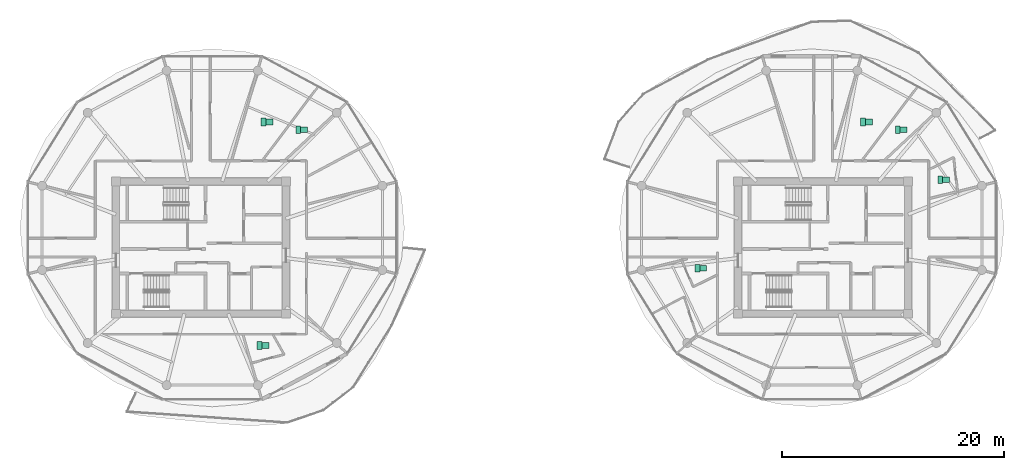
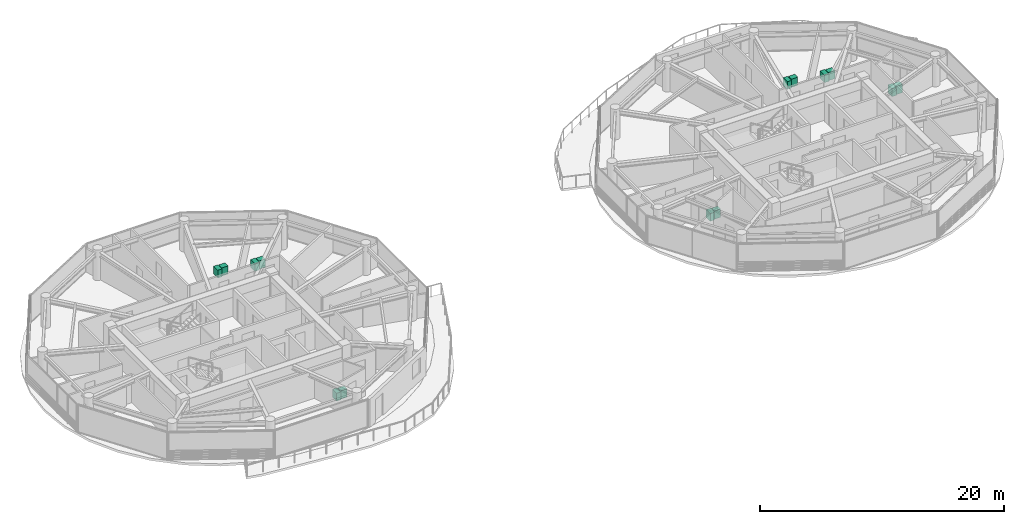
# One storey, part 23 of 23: 14 sanitary terminals.
"""IFC4 building model written with IfcOpenShell, lengths in metres."""

from ifc_helpers import new_model, si_unit, direction, frame, origin, origin_2d, place, context, subcontext, project, spatial, rectangle, extrude, source, transform, mapped, material, type_object, type_shapes, element, save


model = new_model("IFC4")

# Units and contexts
model_context = context("Model", 3, precision=1e-05, world=origin(), true_north=direction((0.0, 1.0)))
body_context = subcontext(model_context, "Body", "Model", "MODEL_VIEW")
ifc_project = project(units=[si_unit("LENGTHUNIT", "METRE"), si_unit("AREAUNIT", "SQUARE_METRE"), si_unit("VOLUMEUNIT", "CUBIC_METRE"), si_unit("PLANEANGLEUNIT", "RADIAN"), si_unit("MASSUNIT", "GRAM", prefix="KILO")], contexts=[model_context])

# Site, building, storey
site_placement = place(None, origin())
site = spatial("IfcSite", under=ifc_project, at=site_placement, CompositionType="ELEMENT")
building_placement = place(site_placement, origin())
building = spatial("IfcBuilding", under=site, at=building_placement, Name="Norrkilde Senior Care Towers", CompositionType="ELEMENT")
storey_placement = place(building_placement, frame((0.0, 0.0, 177.0)))
storey = spatial("IfcBuildingStorey", under=building, at=storey_placement, Name="L55", CompositionType="ELEMENT", Elevation=177.0)

# Sanitary terminals
ifc_material = material(Name="Porcelain Ceramic")
sanitary_terminal_type_1 = type_object("IfcSanitaryTerminalType", Name="Accessible Senior WC Suite", PredefinedType="TOILETPAN", material=ifc_material)
shared_shape_1 = source(origin(), body_context, "Body", "SweptSolid", [
    extrude(rectangle(XDim=0.419921875, YDim=0.679931640625, at=origin_2d()), origin(), (0.0, 0.0, 1.0), 0.780029296875),
])
type_shapes(sanitary_terminal_type_1, [shared_shape_1])
for number, where, z_axis, x_axis, name in (
    (1, (-19.243408203125, 10.615478515625, 0.0), (0.0, 0.0, 1.0), (1.0, 0.0, 0.0), "L55 Accessible WC Pan 0135"),
    (2, (-22.35791015625, 11.302001953125, 0.0), (0.0, 0.0, 1.0), (1.0, 0.0, 0.0), "L55 Accessible WC Pan 0136"),
    (3, (-22.719970703125, -8.811767578125, 0.0), (0.0, 0.0, 1.0), (1.0, 0.0, 0.0), "L55 Accessible WC Pan 0137"),
    (4, (38.52783203125, 6.115478515625, 0.0), (0.0, 0.0, 1.0), (1.0, 0.0, 0.0), "L55 Accessible WC Pan 0138"),
    (5, (34.70654296875, 10.615478515625, 0.0), (0.0, 0.0, 1.0), (1.0, 0.0, 0.0), "L55 Accessible WC Pan 0139"),
    (6, (31.59228515625, 11.302001953125, 0.0), (0.0, 0.0, 1.0), (1.0, 0.0, 0.0), "L55 Accessible WC Pan 0140"),
    (7, (16.6943359375, -1.8662109375, 0.0), (0.0, 0.0, 1.0), (1.0, 0.0, 0.0), "L55 Accessible WC Pan 0141"),
):
    element("IfcSanitaryTerminal", number, at=place(storey_placement, frame(where, z_axis=z_axis, x_axis=x_axis)), inside=storey, type_object=sanitary_terminal_type_1, Name=name, PredefinedType="TOILETPAN", context=body_context, shape_type="MappedRepresentation", body=[
        mapped(shared_shape_1, transform((0.0, 0.0, 0.0), x_axis=(1.0, 0.0, 0.0), y_axis=(0.0, 1.0, 0.0), z_axis=(0.0, 0.0, 1.0), scale=1.0)),
    ])
sanitary_terminal_type_2 = type_object("IfcSanitaryTerminalType", Name="Thermostatic Care Washbasin", PredefinedType="WASHHANDBASIN", material=ifc_material)
shared_shape_2 = source(origin(), body_context, "Body", "SweptSolid", [
    extrude(rectangle(XDim=0.60009765625, YDim=0.5, at=origin_2d()), origin(), (0.0, 0.0, 1.0), 0.820068359375),
])
type_shapes(sanitary_terminal_type_2, [shared_shape_2])
for number, where, z_axis, x_axis, name in (
    (8, (-18.71337890625, 10.615478515625, 0.0), (0.0, 0.0, 1.0), (1.0, 0.0, 0.0), "L55 Accessible Washbasin 0135"),
    (9, (-21.827880859375, 11.302001953125, 0.0), (0.0, 0.0, 1.0), (1.0, 0.0, 0.0), "L55 Accessible Washbasin 0136"),
    (10, (-22.18994140625, -8.811767578125, 0.0), (0.0, 0.0, 1.0), (1.0, 0.0, 0.0), "L55 Accessible Washbasin 0137"),
    (11, (39.057861328125, 6.115478515625, 0.0), (0.0, 0.0, 1.0), (1.0, 0.0, 0.0), "L55 Accessible Washbasin 0138"),
    (12, (35.236572265625, 10.615478515625, 0.0), (0.0, 0.0, 1.0), (1.0, 0.0, 0.0), "L55 Accessible Washbasin 0139"),
    (13, (32.122314453125, 11.302001953125, 0.0), (0.0, 0.0, 1.0), (1.0, 0.0, 0.0), "L55 Accessible Washbasin 0140"),
    (14, (17.224365234375, -1.8662109375, 0.0), (0.0, 0.0, 1.0), (1.0, 0.0, 0.0), "L55 Accessible Washbasin 0141"),
):
    element("IfcSanitaryTerminal", number, at=place(storey_placement, frame(where, z_axis=z_axis, x_axis=x_axis)), inside=storey, type_object=sanitary_terminal_type_2, Name=name, PredefinedType="WASHHANDBASIN", context=body_context, shape_type="MappedRepresentation", body=[
        mapped(shared_shape_2, transform((0.0, 0.0, 0.0), x_axis=(1.0, 0.0, 0.0), y_axis=(0.0, 1.0, 0.0), z_axis=(0.0, 0.0, 1.0), scale=1.0)),
    ])

save(model, "model.ifc")
